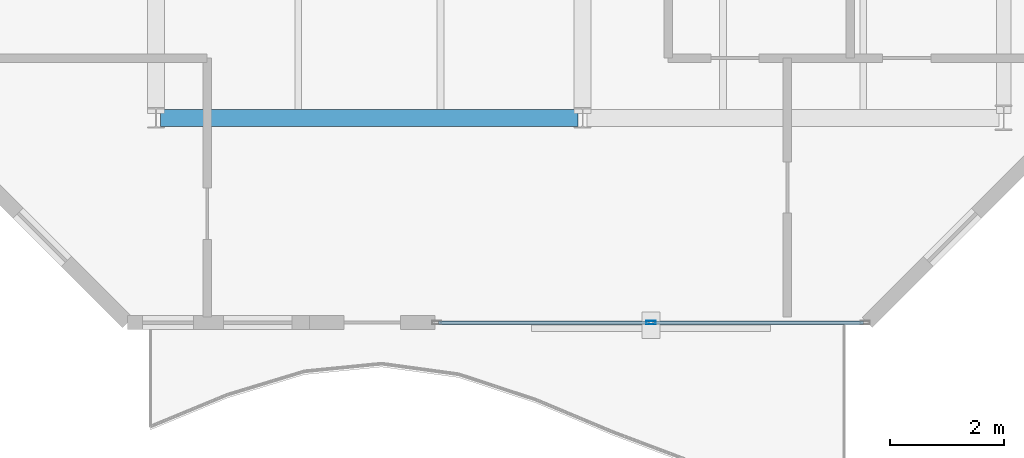
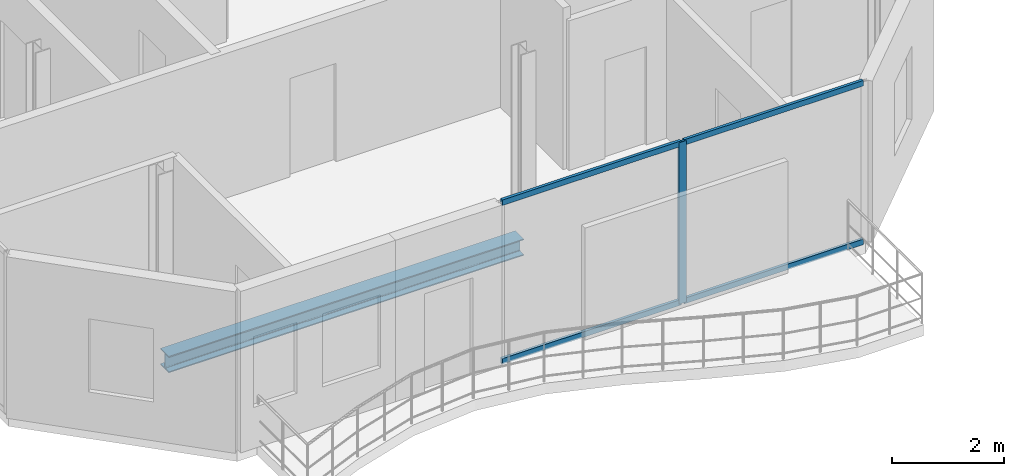
# One storey, part 4 of 23: 5 members, 1 beam, 1 element without a shape of its own.
"""IFC4 building model written with IfcOpenShell, lengths in metres."""

from ifc_helpers import new_model, si_unit, direction, frame, origin, origin_2d, place, context, subcontext, project, spatial, hollow_rectangle, i_section, extrude, material, layer, layer_set, material_profile, profile_set, type_object, element, aggregate, save


model = new_model("IFC4")

# Units and contexts
model_context = context("Model", 3, precision=1e-05, world=origin(), true_north=direction((0.0, 1.0)))
body_context = subcontext(model_context, "Body", "Model", "MODEL_VIEW")
ifc_project = project(units=[si_unit("LENGTHUNIT", "METRE"), si_unit("AREAUNIT", "SQUARE_METRE"), si_unit("VOLUMEUNIT", "CUBIC_METRE"), si_unit("PLANEANGLEUNIT", "RADIAN"), si_unit("MASSUNIT", "GRAM", prefix="KILO")], contexts=[model_context])

# Site, building, storey
site_placement = place(None, origin())
site = spatial("IfcSite", under=ifc_project, at=site_placement, CompositionType="ELEMENT")
building_placement = place(site_placement, origin())
building = spatial("IfcBuilding", under=site, at=building_placement, Name="Catumbela Crestline Tower", CompositionType="ELEMENT")
storey_placement = place(building_placement, frame((0.0, 0.0, 245.0)))
storey = spatial("IfcBuildingStorey", under=building, at=storey_placement, Name="L63", CompositionType="ELEMENT", Elevation=245.0)

# Beam
ifc_material_1 = material(Name="Structural steel S355J2", Category="steel")
ifc_material_profile_1 = material_profile(ifc_material_1, i_section(OverallWidth=0.3, OverallDepth=0.36, WebThickness=0.0125, FlangeThickness=0.0225, FilletRadius=0.027, at=origin_2d()), Name="HEB 360")
ifc_profile_set_1 = profile_set([ifc_material_profile_1], Name="Structural steel S355J2")
beam_type = type_object("IfcBeamType", Name="BG-HEB360", PredefinedType="BEAM", material=ifc_profile_set_1)
beam_placement = place(storey_placement, frame((8.58, 13.6, -0.44), z_axis=(1.0, 0.0, 0.0), x_axis=(0.0, 1.0, 0.0)))
element("IfcBeam", 1, at=beam_placement, inside=storey, type_object=beam_type, Name="L63 Beam BM-L63-WEW27", PredefinedType="BEAM", context=body_context, shape_type="SweptSolid", body=[
    extrude(i_section(OverallWidth=0.3, OverallDepth=0.36, WebThickness=0.0125, FlangeThickness=0.0225, FilletRadius=0.027, at=origin_2d()), origin(), (0.0, 0.0, 1.0), 7.34),
])

# Curtain wall, members
ifc_material_2 = material(Name="Aluminium alloy AW-6060-T66", Category="aluminium")
ifc_layer = layer(ifc_material_2, 0.18, Name="Aluminium alloy AW-6060-T66")
ifc_layer_set = layer_set([ifc_layer], Name="Aluminium alloy AW-6060-T66")
curtain_wall_type = type_object("IfcCurtainWallType", Name="CWU-Z4", PredefinedType="USERDEFINED", material=ifc_layer_set)
curtain_wall_placement = place(storey_placement, origin())
curtain_wall = element("IfcCurtainWall", 2, at=curtain_wall_placement, inside=storey, type_object=curtain_wall_type, Name="L63 Unitised Curtain Wall CW-L63-E0S2", ObjectType="UNITISED", PredefinedType="USERDEFINED")
ifc_material_profile_2 = material_profile(ifc_material_2, hollow_rectangle(XDim=0.06, YDim=0.16, WallThickness=0.004, at=origin_2d()), Name="ALU 160x60x4")
ifc_profile_set_2 = profile_set([ifc_material_profile_2], Name="Aluminium alloy AW-6060-T66")
member_type_1 = type_object("IfcMemberType", Name="MUL-160X60", PredefinedType="MULLION", material=ifc_profile_set_2)
member_1_placement = place(storey_placement, frame((17.2, 10.0, 0.0), z_axis=(0.0, 0.0, 1.0), x_axis=(0.0, 1.0, 0.0)))
member_1 = element("IfcMember", 3, at=member_1_placement, type_object=member_type_1, Name="CWU-Z4 mullion 2", PredefinedType="MULLION", context=body_context, shape_type="SweptSolid", body=[
    extrude(hollow_rectangle(XDim=0.06, YDim=0.16, WallThickness=0.004, at=origin_2d()), origin(), (0.0, 0.0, 1.0), 3.53),
])
ifc_material_profile_3 = material_profile(ifc_material_2, hollow_rectangle(XDim=0.06, YDim=0.12, WallThickness=0.0035, at=origin_2d()), Name="ALU 120x60x3.5")
ifc_profile_set_3 = profile_set([ifc_material_profile_3], Name="Aluminium alloy AW-6060-T66")
member_type_2 = type_object("IfcMemberType", Name="TRN-120X60", PredefinedType="USERDEFINED", material=ifc_profile_set_3)
member_2_placement = place(storey_placement, frame((13.465, 10.0, 0.03), z_axis=(1.0, 0.0, 0.0), x_axis=(0.0, 1.0, 0.0)))
member_2 = element("IfcMember", 4, at=member_2_placement, type_object=member_type_2, Name="CWU-Z4 transom 1.1", ObjectType="TRANSOM", PredefinedType="USERDEFINED", context=body_context, shape_type="SweptSolid", body=[
    extrude(hollow_rectangle(XDim=0.06, YDim=0.12, WallThickness=0.0035, at=origin_2d()), origin(), (0.0, 0.0, 1.0), 3.7025),
])
member_3_placement = place(storey_placement, frame((13.465, 10.0, 3.5), z_axis=(1.0, 0.0, 0.0), x_axis=(0.0, 1.0, 0.0)))
member_3 = element("IfcMember", 5, at=member_3_placement, type_object=member_type_2, Name="CWU-Z4 transom 1.2", ObjectType="TRANSOM", PredefinedType="USERDEFINED", context=body_context, shape_type="SweptSolid", body=[
    extrude(hollow_rectangle(XDim=0.06, YDim=0.12, WallThickness=0.0035, at=origin_2d()), origin(), (0.0, 0.0, 1.0), 3.7025),
])
member_4_placement = place(storey_placement, frame((17.2325, 10.0, 0.03), z_axis=(1.0, 0.0, 0.0), x_axis=(0.0, 1.0, 0.0)))
member_4 = element("IfcMember", 6, at=member_4_placement, type_object=member_type_2, Name="CWU-Z4 transom 2.1", ObjectType="TRANSOM", PredefinedType="USERDEFINED", context=body_context, shape_type="SweptSolid", body=[
    extrude(hollow_rectangle(XDim=0.06, YDim=0.12, WallThickness=0.0035, at=origin_2d()), origin(), (0.0, 0.0, 1.0), 3.7025),
])
member_5_placement = place(storey_placement, frame((17.2325, 10.0, 3.5), z_axis=(1.0, 0.0, 0.0), x_axis=(0.0, 1.0, 0.0)))
member_5 = element("IfcMember", 7, at=member_5_placement, type_object=member_type_2, Name="CWU-Z4 transom 2.2", ObjectType="TRANSOM", PredefinedType="USERDEFINED", context=body_context, shape_type="SweptSolid", body=[
    extrude(hollow_rectangle(XDim=0.06, YDim=0.12, WallThickness=0.0035, at=origin_2d()), origin(), (0.0, 0.0, 1.0), 3.7025),
])
aggregate(curtain_wall, [member_1, member_2, member_3, member_4, member_5])

save(model, "model.ifc")
